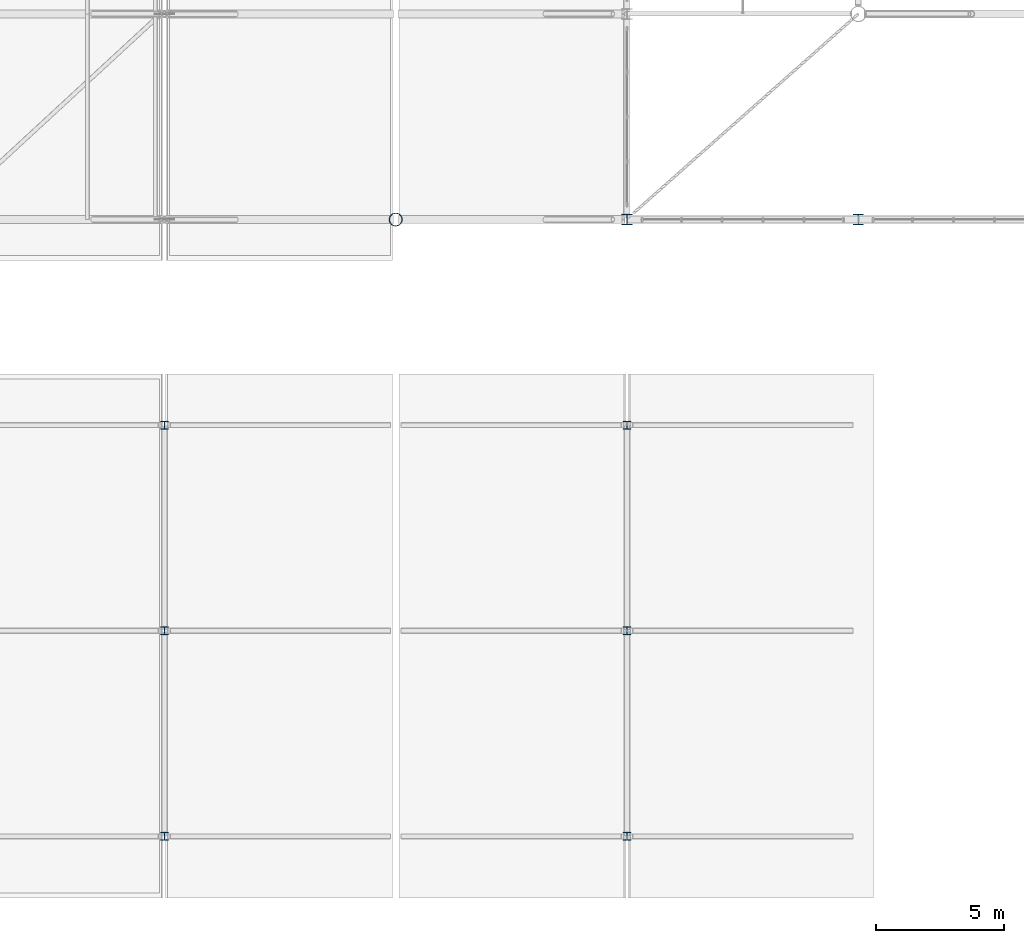
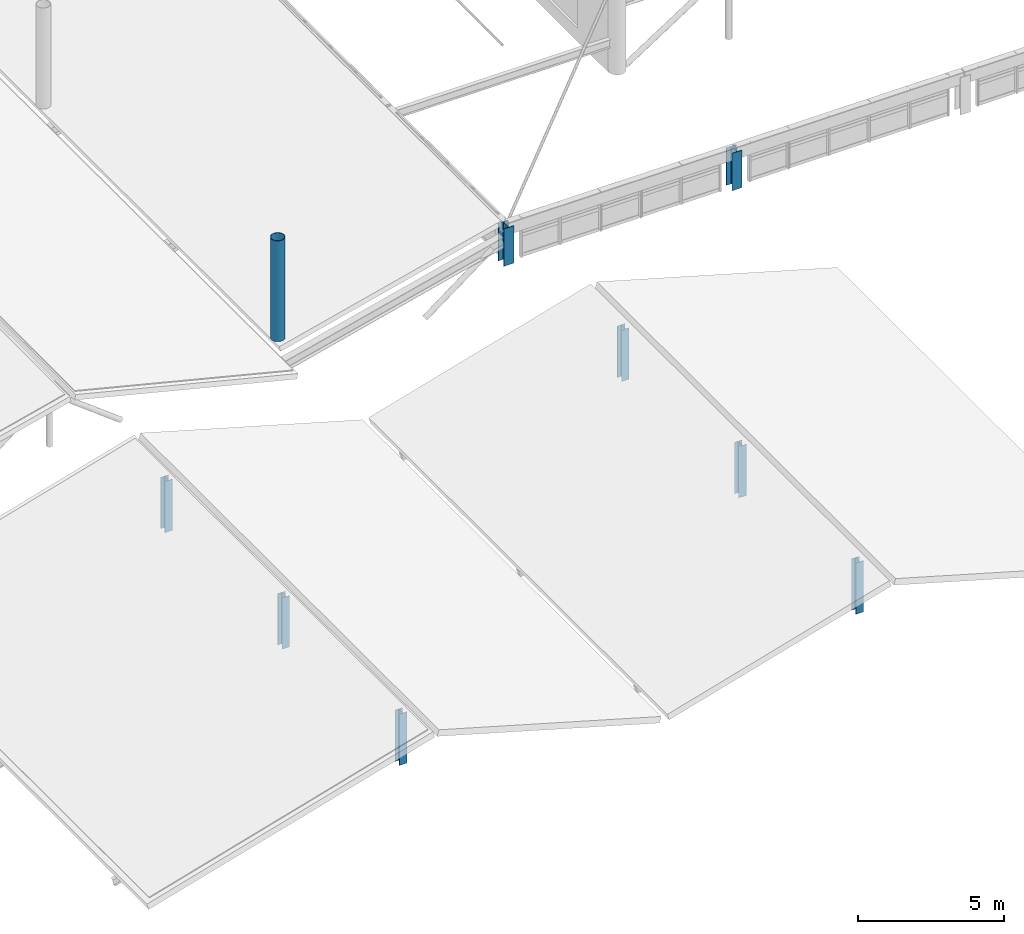
# One storey, part 1 of 128: 9 columns.
"""IFC4 building model written with IfcOpenShell, lengths in metres."""

from ifc_helpers import new_model, si_unit, derived_unit, direction, frame, origin, origin_2d, place, context, subcontext, project, spatial, hollow_circle, i_section, extrude, material, material_profile, profile_set, type_object, element, save


model = new_model("IFC4")

# Units and contexts
model_context = context("Model", 3, precision=1e-05, world=origin(), true_north=direction((0.0, 1.0)))
body_context = subcontext(model_context, "Body", "Model", "MODEL_VIEW")
ifc_project = project(units=[si_unit("LENGTHUNIT", "METRE"), si_unit("AREAUNIT", "SQUARE_METRE"), si_unit("VOLUMEUNIT", "CUBIC_METRE"), si_unit("PLANEANGLEUNIT", "RADIAN"), si_unit("MASSUNIT", "GRAM", prefix="KILO"), derived_unit("THERMALTRANSMITTANCEUNIT", [(si_unit("MASSUNIT", "GRAM", prefix="KILO"), 1), (si_unit("TIMEUNIT", "SECOND"), -3), (si_unit("THERMODYNAMICTEMPERATUREUNIT", "KELVIN"), -1)])], contexts=[model_context])

# Site, building, storey
site_placement = place(None, origin())
site = spatial("IfcSite", under=ifc_project, at=site_placement, CompositionType="ELEMENT")
building_placement = place(site_placement, origin())
building = spatial("IfcBuilding", under=site, at=building_placement, Name="Zhenchuan Archway Interchange", CompositionType="ELEMENT")
storey_placement = place(building_placement, frame((0.0, 0.0, 14.39990234375)))
storey = spatial("IfcBuildingStorey", under=building, at=storey_placement, Name="L03", CompositionType="ELEMENT", Elevation=14.39990234375)

# Columns
ifc_material_1 = material(Name="Steel Q390", Category="steel")
ifc_material_profile_1 = material_profile(ifc_material_1, hollow_circle(Radius=0.25390625, WallThickness=0.01611328125, at=origin_2d()), Name="CHS 508x16")
ifc_profile_set_1 = profile_set([ifc_material_profile_1], Name="Steel Q390")
column_type_1 = type_object("IfcColumnType", Name="COL_STL_CHS508", PredefinedType="COLUMN", material=ifc_profile_set_1)
column_placement = place(storey_placement, frame((18.0, 24.0, 0.0), z_axis=(0.0, 0.0, 1.0), x_axis=(1.0, 0.0, 0.0)))
element("IfcColumn", 1, at=column_placement, inside=storey, type_object=column_type_1, Name="Column 3/D (L03)", PredefinedType="COLUMN", context=body_context, shape_type="SweptSolid", body=[
    extrude(hollow_circle(Radius=0.25390625, WallThickness=0.01611328125, at=origin_2d()), origin(), (0.0, 0.0, 1.0), 4.2001953125),
])
ifc_material_2 = material(Name="Steel Q355", Category="steel")
ifc_material_profile_2 = material_profile(ifc_material_2, i_section(OverallWidth=0.300048828125, OverallDepth=0.300048828125, WebThickness=0.010009765625, FlangeThickness=0.014892578125, FilletRadius=0.01806640625, at=origin_2d()), Name="HW 300x300")
ifc_profile_set_2 = profile_set([ifc_material_profile_2], Name="Steel Q355")
column_type_2 = type_object("IfcColumnType", Name="COL_STL_GABLE_HW300", PredefinedType="COLUMN", material=ifc_profile_set_2)
for number, where, z_axis, x_axis, name in (
    (2, (9.0, 0.0, 0.0), (0.0, 0.0, 1.0), (1.0, 0.0, 0.0), "Cycle Hub folded-plate peak column 2/A (L03)"),
    (3, (9.0, 8.0, 0.0), (0.0, 0.0, 1.0), (1.0, 0.0, 0.0), "Cycle Hub folded-plate peak column 2/B (L03)"),
    (4, (9.0, 16.0, 0.0), (0.0, 0.0, 1.0), (1.0, 0.0, 0.0), "Cycle Hub folded-plate peak column 2/C (L03)"),
    (5, (27.0, 0.0, 0.0), (0.0, 0.0, 1.0), (1.0, 0.0, 0.0), "Cycle Hub folded-plate peak column 4/A (L03)"),
    (6, (27.0, 8.0, 0.0), (0.0, 0.0, 1.0), (1.0, 0.0, 0.0), "Cycle Hub folded-plate peak column 4/B (L03)"),
    (7, (27.0, 16.0, 0.0), (0.0, 0.0, 1.0), (1.0, 0.0, 0.0), "Cycle Hub folded-plate peak column 4/C (L03)"),
):
    element("IfcColumn", number, at=place(storey_placement, frame(where, z_axis=z_axis, x_axis=x_axis)), inside=storey, type_object=column_type_2, Name=name, PredefinedType="COLUMN", context=body_context, shape_type="SweptSolid", body=[
        extrude(i_section(OverallWidth=0.300048828125, OverallDepth=0.300048828125, WebThickness=0.010009765625, FlangeThickness=0.014892578125, FilletRadius=0.01806640625, at=origin_2d()), origin(), (0.0, 0.0, 1.0), 2.14013671875),
    ])
ifc_material_profile_3 = material_profile(ifc_material_2, i_section(OverallWidth=0.39990234375, OverallDepth=0.39990234375, WebThickness=0.012939453125, FlangeThickness=0.02099609375, FilletRadius=0.02197265625, at=origin_2d()), Name="HW 400x400")
ifc_profile_set_3 = profile_set([ifc_material_profile_3], Name="Steel Q355")
column_type_3 = type_object("IfcColumnType", Name="COL_STL_HW400", PredefinedType="COLUMN", material=ifc_profile_set_3)
for number, where, z_axis, x_axis, name in (
    (8, (27.0, 24.0, 0.0), (0.0, 0.0, 1.0), (1.0, 0.0, 0.0), "Column 4/D (L03)"),
    (9, (36.0, 24.0, 0.0), (0.0, 0.0, 1.0), (1.0, 0.0, 0.0), "Column 5/D (L03)"),
):
    element("IfcColumn", number, at=place(storey_placement, frame(where, z_axis=z_axis, x_axis=x_axis)), inside=storey, type_object=column_type_3, Name=name, PredefinedType="COLUMN", context=body_context, shape_type="SweptSolid", body=[
        extrude(i_section(OverallWidth=0.39990234375, OverallDepth=0.39990234375, WebThickness=0.012939453125, FlangeThickness=0.02099609375, FilletRadius=0.02197265625, at=origin_2d()), origin(), (0.0, 0.0, 1.0), 1.56005859375),
    ])

save(model, "model.ifc")
